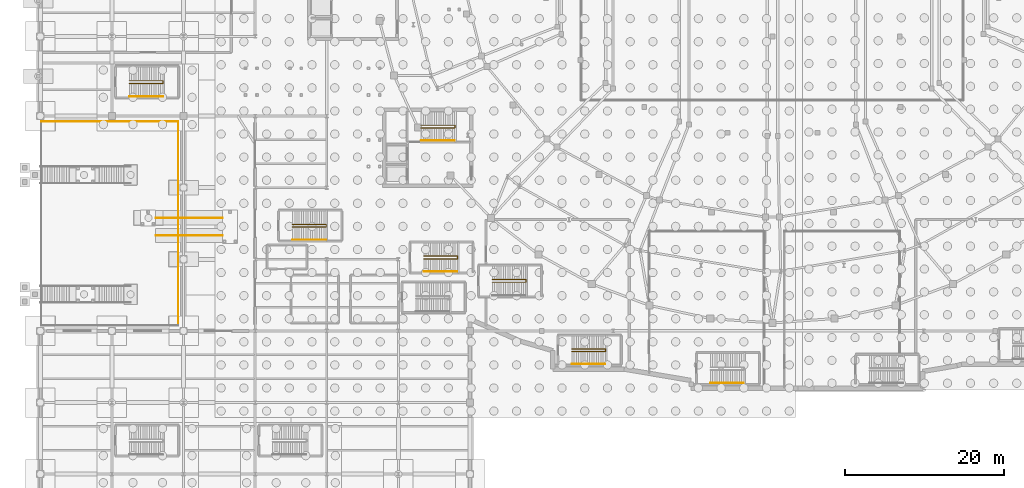
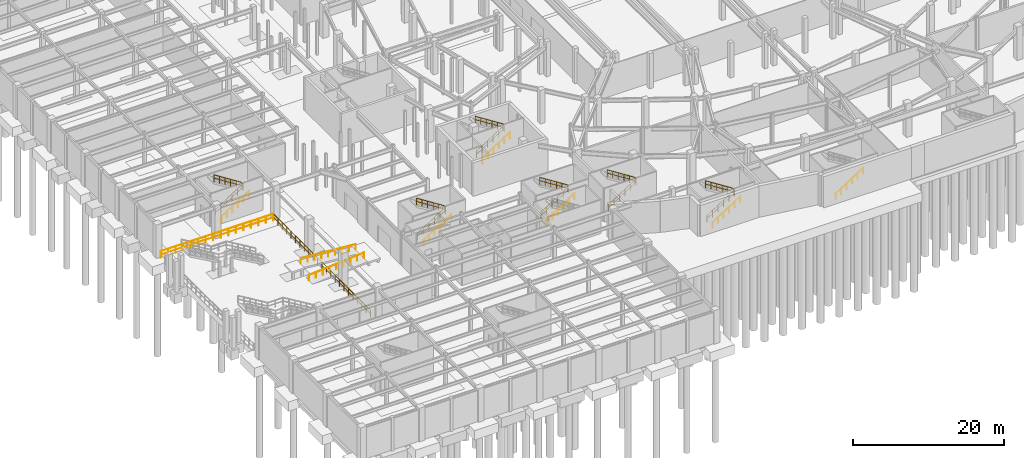
# One storey, part 53 of 56: 16 railings.
"""IFC4 building model written with IfcOpenShell, lengths in metres."""

from ifc_helpers import new_model, si_unit, direction, frame, origin, origin_2d, place, context, subcontext, project, spatial, circle, extrude, material, type_object, element, save


model = new_model("IFC4")

# Units and contexts
model_context = context("Model", 3, precision=1e-05, world=origin(), true_north=direction((0.0, 1.0)))
body_context = subcontext(model_context, "Body", "Model", "MODEL_VIEW")
ifc_project = project(units=[si_unit("LENGTHUNIT", "METRE"), si_unit("AREAUNIT", "SQUARE_METRE"), si_unit("VOLUMEUNIT", "CUBIC_METRE"), si_unit("PLANEANGLEUNIT", "RADIAN"), si_unit("MASSUNIT", "GRAM", prefix="KILO")], contexts=[model_context])

# Site, building, storey
site_placement = place(None, origin())
site = spatial("IfcSite", under=ifc_project, at=site_placement, CompositionType="ELEMENT")
building_placement = place(site_placement, origin())
building = spatial("IfcBuilding", under=site, at=building_placement, Name="Glasvene Arena", CompositionType="ELEMENT")
storey_placement = place(building_placement, frame((0.0, 0.0, -5.39990234375)))
storey = spatial("IfcBuildingStorey", under=building, at=storey_placement, Name="B1", CompositionType="ELEMENT", Elevation=-5.39990234375)

# Railings
ifc_material_1 = material(Name="Brushed stainless steel", Category="steel")
railing_type_1 = type_object("IfcRailingType", Name="RL-GUARD-1100", PredefinedType="GUARDRAIL", material=ifc_material_1)
railing_1_placement = place(storey_placement, frame((47.85009765625, 52.510009765625, 0.0)))
element("IfcRailing", 1, at=railing_1_placement, inside=storey, type_object=railing_type_1, Name="Stair inner well continuous guardrail ST-03-B1", PredefinedType="GUARDRAIL", context=body_context, shape_type="SweptSolid", body=[
    extrude(circle(Radius=0.02392578125, at=origin_2d()), frame((0.0, 0.0, 1.076171875), z_axis=(0.843501457581, 0.0, 0.537126885437), x_axis=(0.0, 1.0, 0.0)), (0.0, 0.0, 1.0), 5.026611328125),
    extrude(circle(Radius=0.01611328125, at=origin_2d()), frame((0.0, 0.0, 0.550048828125), z_axis=(0.843501457581, 0.0, 0.537126885437), x_axis=(0.0, 1.0, 0.0)), (0.0, 0.0, 1.0), 5.026611328125),
    extrude(circle(Radius=0.02392578125, at=origin_2d()), frame((4.239990234375, 0.0, 3.77587890625), z_axis=(0.0, 1.0, 0.0), x_axis=(-1.0, 0.0, 0.0)), (0.0, 0.0, 1.0), 0.330078125),
    extrude(circle(Radius=0.01611328125, at=origin_2d()), frame((4.239990234375, 0.0, 3.25), z_axis=(0.0, 1.0, 0.0), x_axis=(-1.0, 0.0, 0.0)), (0.0, 0.0, 1.0), 0.330078125),
    extrude(circle(Radius=0.02392578125, at=origin_2d()), frame((4.239990234375, 0.330078125, 3.77587890625), z_axis=(-0.843501457581, 0.0, 0.537126885437), x_axis=(0.0, -1.0, 0.0)), (0.0, 0.0, 1.0), 5.026611328125),
    extrude(circle(Radius=0.01611328125, at=origin_2d()), frame((4.239990234375, 0.330078125, 3.25), z_axis=(-0.843501457581, 0.0, 0.537126885437), x_axis=(0.0, -1.0, 0.0)), (0.0, 0.0, 1.0), 5.026611328125),
    extrude(circle(Radius=0.02099609375, at=origin_2d()), origin(), (0.0, 0.0, 1.0), 1.052001953125),
    extrude(circle(Radius=0.02099609375, at=origin_2d()), frame((0.847900390625, 0.0, 0.5400390625)), (0.0, 0.0, 1.0), 1.052001953125),
    extrude(circle(Radius=0.02099609375, at=origin_2d()), frame((1.696044921875, 0.0, 1.080078125)), (0.0, 0.0, 1.0), 1.052001953125),
    extrude(circle(Radius=0.02099609375, at=origin_2d()), frame((2.5439453125, 0.0, 1.619873046875)), (0.0, 0.0, 1.0), 1.052001953125),
    extrude(circle(Radius=0.02099609375, at=origin_2d()), frame((3.39208984375, 0.0, 2.159912109375)), (0.0, 0.0, 1.0), 1.052001953125),
    extrude(circle(Radius=0.02099609375, at=origin_2d()), frame((4.239990234375, 0.0, 2.699951171875)), (0.0, 0.0, 1.0), 1.052001953125),
    extrude(circle(Radius=0.02099609375, at=origin_2d()), frame((4.239990234375, 0.330078125, 2.699951171875)), (0.0, 0.0, 1.0), 1.052001953125),
    extrude(circle(Radius=0.02099609375, at=origin_2d()), frame((3.39208984375, 0.330078125, 3.239990234375)), (0.0, 0.0, 1.0), 1.052001953125),
    extrude(circle(Radius=0.02099609375, at=origin_2d()), frame((2.5439453125, 0.330078125, 3.780029296875)), (0.0, 0.0, 1.0), 1.052001953125),
    extrude(circle(Radius=0.02099609375, at=origin_2d()), frame((1.696044921875, 0.330078125, 4.31982421875)), (0.0, 0.0, 1.0), 1.052001953125),
    extrude(circle(Radius=0.02099609375, at=origin_2d()), frame((0.847900390625, 0.330078125, 4.85986328125)), (0.0, 0.0, 1.0), 1.052001953125),
    extrude(circle(Radius=0.02099609375, at=origin_2d()), frame((0.0, 0.330078125, 5.39990234375)), (0.0, 0.0, 1.0), 1.052001953125),
])
railing_2_placement = place(storey_placement, frame((48.199951171875, 36.06005859375, 0.0)))
element("IfcRailing", 2, at=railing_2_placement, inside=storey, type_object=railing_type_1, Name="Stair inner well continuous guardrail ST-05-B1", PredefinedType="GUARDRAIL", context=body_context, shape_type="SweptSolid", body=[
    extrude(circle(Radius=0.02392578125, at=origin_2d()), frame((0.0, 0.0, 1.076171875), z_axis=(0.843501457581, 0.0, 0.537126885437), x_axis=(0.0, 1.0, 0.0)), (0.0, 0.0, 1.0), 5.026611328125),
    extrude(circle(Radius=0.01611328125, at=origin_2d()), frame((0.0, 0.0, 0.550048828125), z_axis=(0.843501457581, 0.0, 0.537126885437), x_axis=(0.0, 1.0, 0.0)), (0.0, 0.0, 1.0), 5.026611328125),
    extrude(circle(Radius=0.02392578125, at=origin_2d()), frame((4.239990234375, 0.0, 3.77587890625), z_axis=(0.0, 1.0, 0.0), x_axis=(-1.0, 0.0, 0.0)), (0.0, 0.0, 1.0), 0.329833984375),
    extrude(circle(Radius=0.01611328125, at=origin_2d()), frame((4.239990234375, 0.0, 3.25), z_axis=(0.0, 1.0, 0.0), x_axis=(-1.0, 0.0, 0.0)), (0.0, 0.0, 1.0), 0.329833984375),
    extrude(circle(Radius=0.02392578125, at=origin_2d()), frame((4.239990234375, 0.329833984375, 3.77587890625), z_axis=(-0.843501457581, 0.0, 0.537126885437), x_axis=(0.0, -1.0, 0.0)), (0.0, 0.0, 1.0), 5.026611328125),
    extrude(circle(Radius=0.01611328125, at=origin_2d()), frame((4.239990234375, 0.329833984375, 3.25), z_axis=(-0.843501457581, 0.0, 0.537126885437), x_axis=(0.0, -1.0, 0.0)), (0.0, 0.0, 1.0), 5.026611328125),
    extrude(circle(Radius=0.02099609375, at=origin_2d()), origin(), (0.0, 0.0, 1.0), 1.052001953125),
    extrude(circle(Radius=0.02099609375, at=origin_2d()), frame((0.847900390625, 0.0, 0.5400390625)), (0.0, 0.0, 1.0), 1.052001953125),
    extrude(circle(Radius=0.02099609375, at=origin_2d()), frame((1.696044921875, 0.0, 1.080078125)), (0.0, 0.0, 1.0), 1.052001953125),
    extrude(circle(Radius=0.02099609375, at=origin_2d()), frame((2.5439453125, 0.0, 1.619873046875)), (0.0, 0.0, 1.0), 1.052001953125),
    extrude(circle(Radius=0.02099609375, at=origin_2d()), frame((3.39208984375, 0.0, 2.159912109375)), (0.0, 0.0, 1.0), 1.052001953125),
    extrude(circle(Radius=0.02099609375, at=origin_2d()), frame((4.239990234375, 0.0, 2.699951171875)), (0.0, 0.0, 1.0), 1.052001953125),
    extrude(circle(Radius=0.02099609375, at=origin_2d()), frame((4.239990234375, 0.329833984375, 2.699951171875)), (0.0, 0.0, 1.0), 1.052001953125),
    extrude(circle(Radius=0.02099609375, at=origin_2d()), frame((3.39208984375, 0.329833984375, 3.239990234375)), (0.0, 0.0, 1.0), 1.052001953125),
    extrude(circle(Radius=0.02099609375, at=origin_2d()), frame((2.5439453125, 0.329833984375, 3.780029296875)), (0.0, 0.0, 1.0), 1.052001953125),
    extrude(circle(Radius=0.02099609375, at=origin_2d()), frame((1.696044921875, 0.329833984375, 4.31982421875)), (0.0, 0.0, 1.0), 1.052001953125),
    extrude(circle(Radius=0.02099609375, at=origin_2d()), frame((0.847900390625, 0.329833984375, 4.85986328125)), (0.0, 0.0, 1.0), 1.052001953125),
    extrude(circle(Radius=0.02099609375, at=origin_2d()), frame((0.0, 0.329833984375, 5.39990234375)), (0.0, 0.0, 1.0), 1.052001953125),
])
railing_3_placement = place(storey_placement, frame((66.800048828125, 24.409912109375, 0.0)))
element("IfcRailing", 3, at=railing_3_placement, inside=storey, type_object=railing_type_1, Name="Stair inner well continuous guardrail ST-08-B1", PredefinedType="GUARDRAIL", context=body_context, shape_type="SweptSolid", body=[
    extrude(circle(Radius=0.02392578125, at=origin_2d()), frame((0.0, 0.0, 1.076171875), z_axis=(0.843501457581, 0.0, 0.537126885437), x_axis=(0.0, 1.0, 0.0)), (0.0, 0.0, 1.0), 5.026611328125),
    extrude(circle(Radius=0.01611328125, at=origin_2d()), frame((0.0, 0.0, 0.550048828125), z_axis=(0.843501457581, 0.0, 0.537126885437), x_axis=(0.0, 1.0, 0.0)), (0.0, 0.0, 1.0), 5.026611328125),
    extrude(circle(Radius=0.02392578125, at=origin_2d()), frame((4.239990234375, 0.0, 3.77587890625), z_axis=(0.0, 1.0, 0.0), x_axis=(-1.0, 0.0, 0.0)), (0.0, 0.0, 1.0), 0.330078125),
    extrude(circle(Radius=0.01611328125, at=origin_2d()), frame((4.239990234375, 0.0, 3.25), z_axis=(0.0, 1.0, 0.0), x_axis=(-1.0, 0.0, 0.0)), (0.0, 0.0, 1.0), 0.330078125),
    extrude(circle(Radius=0.02392578125, at=origin_2d()), frame((4.239990234375, 0.330078125, 3.77587890625), z_axis=(-0.843501457581, 0.0, 0.537126885437), x_axis=(0.0, -1.0, 0.0)), (0.0, 0.0, 1.0), 5.026611328125),
    extrude(circle(Radius=0.01611328125, at=origin_2d()), frame((4.239990234375, 0.330078125, 3.25), z_axis=(-0.843501457581, 0.0, 0.537126885437), x_axis=(0.0, -1.0, 0.0)), (0.0, 0.0, 1.0), 5.026611328125),
    extrude(circle(Radius=0.02099609375, at=origin_2d()), origin(), (0.0, 0.0, 1.0), 1.052001953125),
    extrude(circle(Radius=0.02099609375, at=origin_2d()), frame((0.847900390625, 0.0, 0.5400390625)), (0.0, 0.0, 1.0), 1.052001953125),
    extrude(circle(Radius=0.02099609375, at=origin_2d()), frame((1.696044921875, 0.0, 1.080078125)), (0.0, 0.0, 1.0), 1.052001953125),
    extrude(circle(Radius=0.02099609375, at=origin_2d()), frame((2.5439453125, 0.0, 1.619873046875)), (0.0, 0.0, 1.0), 1.052001953125),
    extrude(circle(Radius=0.02099609375, at=origin_2d()), frame((3.39208984375, 0.0, 2.159912109375)), (0.0, 0.0, 1.0), 1.052001953125),
    extrude(circle(Radius=0.02099609375, at=origin_2d()), frame((4.239990234375, 0.0, 2.699951171875)), (0.0, 0.0, 1.0), 1.052001953125),
    extrude(circle(Radius=0.02099609375, at=origin_2d()), frame((4.239990234375, 0.330078125, 2.699951171875)), (0.0, 0.0, 1.0), 1.052001953125),
    extrude(circle(Radius=0.02099609375, at=origin_2d()), frame((3.39208984375, 0.330078125, 3.239990234375)), (0.0, 0.0, 1.0), 1.052001953125),
    extrude(circle(Radius=0.02099609375, at=origin_2d()), frame((2.5439453125, 0.330078125, 3.780029296875)), (0.0, 0.0, 1.0), 1.052001953125),
    extrude(circle(Radius=0.02099609375, at=origin_2d()), frame((1.696044921875, 0.330078125, 4.31982421875)), (0.0, 0.0, 1.0), 1.052001953125),
    extrude(circle(Radius=0.02099609375, at=origin_2d()), frame((0.847900390625, 0.330078125, 4.85986328125)), (0.0, 0.0, 1.0), 1.052001953125),
    extrude(circle(Radius=0.02099609375, at=origin_2d()), frame((0.0, 0.330078125, 5.39990234375)), (0.0, 0.0, 1.0), 1.052001953125),
])
railing_4_placement = place(storey_placement, frame((11.199951171875, 58.110107421875, 0.0)))
element("IfcRailing", 4, at=railing_4_placement, inside=storey, type_object=railing_type_1, Name="Stair inner well continuous guardrail ST-13-B1", PredefinedType="GUARDRAIL", context=body_context, shape_type="SweptSolid", body=[
    extrude(circle(Radius=0.02392578125, at=origin_2d()), frame((0.0, 0.0, 1.076171875), z_axis=(0.843501457581, 0.0, 0.537126885437), x_axis=(0.0, 1.0, 0.0)), (0.0, 0.0, 1.0), 5.026611328125),
    extrude(circle(Radius=0.01611328125, at=origin_2d()), frame((0.0, 0.0, 0.550048828125), z_axis=(0.843501457581, 0.0, 0.537126885437), x_axis=(0.0, 1.0, 0.0)), (0.0, 0.0, 1.0), 5.026611328125),
    extrude(circle(Radius=0.02392578125, at=origin_2d()), frame((4.239990234375, 0.0, 3.77587890625), z_axis=(0.0, 1.0, 0.0), x_axis=(-1.0, 0.0, 0.0)), (0.0, 0.0, 1.0), 0.329833984375),
    extrude(circle(Radius=0.01611328125, at=origin_2d()), frame((4.239990234375, 0.0, 3.25), z_axis=(0.0, 1.0, 0.0), x_axis=(-1.0, 0.0, 0.0)), (0.0, 0.0, 1.0), 0.329833984375),
    extrude(circle(Radius=0.02392578125, at=origin_2d()), frame((4.239990234375, 0.329833984375, 3.77587890625), z_axis=(-0.843501457581, 0.0, 0.537126885437), x_axis=(0.0, -1.0, 0.0)), (0.0, 0.0, 1.0), 5.026611328125),
    extrude(circle(Radius=0.01611328125, at=origin_2d()), frame((4.239990234375, 0.329833984375, 3.25), z_axis=(-0.843501457581, 0.0, 0.537126885437), x_axis=(0.0, -1.0, 0.0)), (0.0, 0.0, 1.0), 5.026611328125),
    extrude(circle(Radius=0.02099609375, at=origin_2d()), origin(), (0.0, 0.0, 1.0), 1.052001953125),
    extrude(circle(Radius=0.02099609375, at=origin_2d()), frame((0.847900390625, 0.0, 0.5400390625)), (0.0, 0.0, 1.0), 1.052001953125),
    extrude(circle(Radius=0.02099609375, at=origin_2d()), frame((1.696044921875, 0.0, 1.080078125)), (0.0, 0.0, 1.0), 1.052001953125),
    extrude(circle(Radius=0.02099609375, at=origin_2d()), frame((2.5439453125, 0.0, 1.619873046875)), (0.0, 0.0, 1.0), 1.052001953125),
    extrude(circle(Radius=0.02099609375, at=origin_2d()), frame((3.39208984375, 0.0, 2.159912109375)), (0.0, 0.0, 1.0), 1.052001953125),
    extrude(circle(Radius=0.02099609375, at=origin_2d()), frame((4.239990234375, 0.0, 2.699951171875)), (0.0, 0.0, 1.0), 1.052001953125),
    extrude(circle(Radius=0.02099609375, at=origin_2d()), frame((4.239990234375, 0.329833984375, 2.699951171875)), (0.0, 0.0, 1.0), 1.052001953125),
    extrude(circle(Radius=0.02099609375, at=origin_2d()), frame((3.39208984375, 0.329833984375, 3.239990234375)), (0.0, 0.0, 1.0), 1.052001953125),
    extrude(circle(Radius=0.02099609375, at=origin_2d()), frame((2.5439453125, 0.329833984375, 3.780029296875)), (0.0, 0.0, 1.0), 1.052001953125),
    extrude(circle(Radius=0.02099609375, at=origin_2d()), frame((1.696044921875, 0.329833984375, 4.31982421875)), (0.0, 0.0, 1.0), 1.052001953125),
    extrude(circle(Radius=0.02099609375, at=origin_2d()), frame((0.847900390625, 0.329833984375, 4.85986328125)), (0.0, 0.0, 1.0), 1.052001953125),
    extrude(circle(Radius=0.02099609375, at=origin_2d()), frame((0.0, 0.329833984375, 5.39990234375)), (0.0, 0.0, 1.0), 1.052001953125),
])
railing_5_placement = place(storey_placement, frame((31.699951171875, 40.06005859375, 0.0)))
element("IfcRailing", 5, at=railing_5_placement, inside=storey, type_object=railing_type_1, Name="Stair inner well continuous guardrail ST-15-B1", PredefinedType="GUARDRAIL", context=body_context, shape_type="SweptSolid", body=[
    extrude(circle(Radius=0.02392578125, at=origin_2d()), frame((0.0, 0.0, 1.076171875), z_axis=(0.843501457581, 0.0, 0.537126885437), x_axis=(0.0, 1.0, 0.0)), (0.0, 0.0, 1.0), 5.026611328125),
    extrude(circle(Radius=0.01611328125, at=origin_2d()), frame((0.0, 0.0, 0.550048828125), z_axis=(0.843501457581, 0.0, 0.537126885437), x_axis=(0.0, 1.0, 0.0)), (0.0, 0.0, 1.0), 5.026611328125),
    extrude(circle(Radius=0.02392578125, at=origin_2d()), frame((4.239990234375, 0.0, 3.77587890625), z_axis=(0.0, 1.0, 0.0), x_axis=(-1.0, 0.0, 0.0)), (0.0, 0.0, 1.0), 0.329833984375),
    extrude(circle(Radius=0.01611328125, at=origin_2d()), frame((4.239990234375, 0.0, 3.25), z_axis=(0.0, 1.0, 0.0), x_axis=(-1.0, 0.0, 0.0)), (0.0, 0.0, 1.0), 0.329833984375),
    extrude(circle(Radius=0.02392578125, at=origin_2d()), frame((4.239990234375, 0.329833984375, 3.77587890625), z_axis=(-0.843501457581, 0.0, 0.537126885437), x_axis=(0.0, -1.0, 0.0)), (0.0, 0.0, 1.0), 5.026611328125),
    extrude(circle(Radius=0.01611328125, at=origin_2d()), frame((4.239990234375, 0.329833984375, 3.25), z_axis=(-0.843501457581, 0.0, 0.537126885437), x_axis=(0.0, -1.0, 0.0)), (0.0, 0.0, 1.0), 5.026611328125),
    extrude(circle(Radius=0.02099609375, at=origin_2d()), origin(), (0.0, 0.0, 1.0), 1.052001953125),
    extrude(circle(Radius=0.02099609375, at=origin_2d()), frame((0.847900390625, 0.0, 0.5400390625)), (0.0, 0.0, 1.0), 1.052001953125),
    extrude(circle(Radius=0.02099609375, at=origin_2d()), frame((1.696044921875, 0.0, 1.080078125)), (0.0, 0.0, 1.0), 1.052001953125),
    extrude(circle(Radius=0.02099609375, at=origin_2d()), frame((2.5439453125, 0.0, 1.619873046875)), (0.0, 0.0, 1.0), 1.052001953125),
    extrude(circle(Radius=0.02099609375, at=origin_2d()), frame((3.39208984375, 0.0, 2.159912109375)), (0.0, 0.0, 1.0), 1.052001953125),
    extrude(circle(Radius=0.02099609375, at=origin_2d()), frame((4.239990234375, 0.0, 2.699951171875)), (0.0, 0.0, 1.0), 1.052001953125),
    extrude(circle(Radius=0.02099609375, at=origin_2d()), frame((4.239990234375, 0.329833984375, 2.699951171875)), (0.0, 0.0, 1.0), 1.052001953125),
    extrude(circle(Radius=0.02099609375, at=origin_2d()), frame((3.39208984375, 0.329833984375, 3.239990234375)), (0.0, 0.0, 1.0), 1.052001953125),
    extrude(circle(Radius=0.02099609375, at=origin_2d()), frame((2.5439453125, 0.329833984375, 3.780029296875)), (0.0, 0.0, 1.0), 1.052001953125),
    extrude(circle(Radius=0.02099609375, at=origin_2d()), frame((1.696044921875, 0.329833984375, 4.31982421875)), (0.0, 0.0, 1.0), 1.052001953125),
    extrude(circle(Radius=0.02099609375, at=origin_2d()), frame((0.847900390625, 0.329833984375, 4.85986328125)), (0.0, 0.0, 1.0), 1.052001953125),
    extrude(circle(Radius=0.02099609375, at=origin_2d()), frame((0.0, 0.329833984375, 5.39990234375)), (0.0, 0.0, 1.0), 1.052001953125),
])
railing_6_placement = place(storey_placement, frame((56.800048828125, 33.110107421875, 0.0)))
element("IfcRailing", 6, at=railing_6_placement, inside=storey, type_object=railing_type_1, Name="Stair inner well continuous guardrail ST-B06-B1", PredefinedType="GUARDRAIL", context=body_context, shape_type="SweptSolid", body=[
    extrude(circle(Radius=0.02392578125, at=origin_2d()), frame((0.0, 0.0, 1.076171875), z_axis=(0.843501457581, 0.0, 0.537126885437), x_axis=(0.0, 1.0, 0.0)), (0.0, 0.0, 1.0), 5.026611328125),
    extrude(circle(Radius=0.01611328125, at=origin_2d()), frame((0.0, 0.0, 0.550048828125), z_axis=(0.843501457581, 0.0, 0.537126885437), x_axis=(0.0, 1.0, 0.0)), (0.0, 0.0, 1.0), 5.026611328125),
    extrude(circle(Radius=0.02392578125, at=origin_2d()), frame((4.239990234375, 0.0, 3.77587890625), z_axis=(0.0, 1.0, 0.0), x_axis=(-1.0, 0.0, 0.0)), (0.0, 0.0, 1.0), 0.329833984375),
    extrude(circle(Radius=0.01611328125, at=origin_2d()), frame((4.239990234375, 0.0, 3.25), z_axis=(0.0, 1.0, 0.0), x_axis=(-1.0, 0.0, 0.0)), (0.0, 0.0, 1.0), 0.329833984375),
    extrude(circle(Radius=0.02392578125, at=origin_2d()), frame((4.239990234375, 0.329833984375, 3.77587890625), z_axis=(-0.843501457581, 0.0, 0.537126885437), x_axis=(0.0, -1.0, 0.0)), (0.0, 0.0, 1.0), 5.026611328125),
    extrude(circle(Radius=0.01611328125, at=origin_2d()), frame((4.239990234375, 0.329833984375, 3.25), z_axis=(-0.843501457581, 0.0, 0.537126885437), x_axis=(0.0, -1.0, 0.0)), (0.0, 0.0, 1.0), 5.026611328125),
    extrude(circle(Radius=0.02099609375, at=origin_2d()), origin(), (0.0, 0.0, 1.0), 1.052001953125),
    extrude(circle(Radius=0.02099609375, at=origin_2d()), frame((0.847900390625, 0.0, 0.5400390625)), (0.0, 0.0, 1.0), 1.052001953125),
    extrude(circle(Radius=0.02099609375, at=origin_2d()), frame((1.696044921875, 0.0, 1.080078125)), (0.0, 0.0, 1.0), 1.052001953125),
    extrude(circle(Radius=0.02099609375, at=origin_2d()), frame((2.5439453125, 0.0, 1.619873046875)), (0.0, 0.0, 1.0), 1.052001953125),
    extrude(circle(Radius=0.02099609375, at=origin_2d()), frame((3.39208984375, 0.0, 2.159912109375)), (0.0, 0.0, 1.0), 1.052001953125),
    extrude(circle(Radius=0.02099609375, at=origin_2d()), frame((4.239990234375, 0.0, 2.699951171875)), (0.0, 0.0, 1.0), 1.052001953125),
    extrude(circle(Radius=0.02099609375, at=origin_2d()), frame((4.239990234375, 0.329833984375, 2.699951171875)), (0.0, 0.0, 1.0), 1.052001953125),
    extrude(circle(Radius=0.02099609375, at=origin_2d()), frame((3.39208984375, 0.329833984375, 3.239990234375)), (0.0, 0.0, 1.0), 1.052001953125),
    extrude(circle(Radius=0.02099609375, at=origin_2d()), frame((2.5439453125, 0.329833984375, 3.780029296875)), (0.0, 0.0, 1.0), 1.052001953125),
    extrude(circle(Radius=0.02099609375, at=origin_2d()), frame((1.696044921875, 0.329833984375, 4.31982421875)), (0.0, 0.0, 1.0), 1.052001953125),
    extrude(circle(Radius=0.02099609375, at=origin_2d()), frame((0.847900390625, 0.329833984375, 4.85986328125)), (0.0, 0.0, 1.0), 1.052001953125),
    extrude(circle(Radius=0.02099609375, at=origin_2d()), frame((0.0, 0.329833984375, 5.39990234375)), (0.0, 0.0, 1.0), 1.052001953125),
])
ifc_material_2 = material(Name="Warm bronze architectural aluminium", Category="aluminium")
railing_type_2 = type_object("IfcRailingType", Name="RL-GUARD-EXT-1150", PredefinedType="GUARDRAIL", material=ifc_material_2)
railing_7_placement = place(storey_placement, frame((0.1201171875, 53.330078125, 0.0)))
element("IfcRailing", 7, at=railing_7_placement, inside=storey, type_object=railing_type_2, Name="Safety guardrail GD-TER-B1-TR-B1-METRO-01-001", PredefinedType="GUARDRAIL", context=body_context, shape_type="SweptSolid", body=[
    extrude(circle(Radius=0.02392578125, at=origin_2d()), frame((0.0, 0.0, 1.1259765625), z_axis=(1.0, 0.0, 0.0), x_axis=(0.0, 1.0, 0.0)), (0.0, 0.0, 1.0), 17.2099609375),
    extrude(circle(Radius=0.01611328125, at=origin_2d()), frame((0.0, 0.0, 0.574951171875), z_axis=(1.0, 0.0, 0.0), x_axis=(0.0, 1.0, 0.0)), (0.0, 0.0, 1.0), 17.2099609375),
    extrude(circle(Radius=0.02099609375, at=origin_2d()), origin(), (0.0, 0.0, 1.0), 1.101806640625),
    extrude(circle(Radius=0.02099609375, at=origin_2d()), frame((1.147216796875, 0.0, 0.0)), (0.0, 0.0, 1.0), 1.101806640625),
    extrude(circle(Radius=0.02099609375, at=origin_2d()), frame((2.294677734375, 0.0, 0.0)), (0.0, 0.0, 1.0), 1.101806640625),
    extrude(circle(Radius=0.02099609375, at=origin_2d()), frame((3.44189453125, 0.0, 0.0)), (0.0, 0.0, 1.0), 1.101806640625),
    extrude(circle(Radius=0.02099609375, at=origin_2d()), frame((4.58935546875, 0.0, 0.0)), (0.0, 0.0, 1.0), 1.101806640625),
    extrude(circle(Radius=0.02099609375, at=origin_2d()), frame((5.736572265625, 0.0, 0.0)), (0.0, 0.0, 1.0), 1.101806640625),
    extrude(circle(Radius=0.02099609375, at=origin_2d()), frame((6.884033203125, 0.0, 0.0)), (0.0, 0.0, 1.0), 1.101806640625),
    extrude(circle(Radius=0.02099609375, at=origin_2d()), frame((8.03125, 0.0, 0.0)), (0.0, 0.0, 1.0), 1.101806640625),
    extrude(circle(Radius=0.02099609375, at=origin_2d()), frame((9.1787109375, 0.0, 0.0)), (0.0, 0.0, 1.0), 1.101806640625),
    extrude(circle(Radius=0.02099609375, at=origin_2d()), frame((10.325927734375, 0.0, 0.0)), (0.0, 0.0, 1.0), 1.101806640625),
    extrude(circle(Radius=0.02099609375, at=origin_2d()), frame((11.473388671875, 0.0, 0.0)), (0.0, 0.0, 1.0), 1.101806640625),
    extrude(circle(Radius=0.02099609375, at=origin_2d()), frame((12.62060546875, 0.0, 0.0)), (0.0, 0.0, 1.0), 1.101806640625),
    extrude(circle(Radius=0.02099609375, at=origin_2d()), frame((13.76806640625, 0.0, 0.0)), (0.0, 0.0, 1.0), 1.101806640625),
    extrude(circle(Radius=0.02099609375, at=origin_2d()), frame((14.915283203125, 0.0, 0.0)), (0.0, 0.0, 1.0), 1.101806640625),
    extrude(circle(Radius=0.02099609375, at=origin_2d()), frame((16.062744140625, 0.0, 0.0)), (0.0, 0.0, 1.0), 1.101806640625),
    extrude(circle(Radius=0.02099609375, at=origin_2d()), frame((17.2099609375, 0.0, 0.0)), (0.0, 0.0, 1.0), 1.101806640625),
])
railing_8_placement = place(storey_placement, frame((17.330078125, 53.330078125, 0.0)))
element("IfcRailing", 8, at=railing_8_placement, inside=storey, type_object=railing_type_2, Name="Safety guardrail GD-TER-B1-TR-B1-METRO-01-002", PredefinedType="GUARDRAIL", context=body_context, shape_type="SweptSolid", body=[
    extrude(circle(Radius=0.02392578125, at=origin_2d()), frame((0.0, 0.0, 1.1259765625), z_axis=(0.0, -1.0, 0.0), x_axis=(1.0, 0.0, 0.0)), (0.0, 0.0, 1.0), 25.66015625),
    extrude(circle(Radius=0.01611328125, at=origin_2d()), frame((0.0, 0.0, 0.574951171875), z_axis=(0.0, -1.0, 0.0), x_axis=(1.0, 0.0, 0.0)), (0.0, 0.0, 1.0), 25.66015625),
    extrude(circle(Radius=0.02099609375, at=origin_2d()), origin(), (0.0, 0.0, 1.0), 1.101806640625),
    extrude(circle(Radius=0.02099609375, at=origin_2d()), frame((0.0, -1.166259765625, 0.0)), (0.0, 0.0, 1.0), 1.101806640625),
    extrude(circle(Radius=0.02099609375, at=origin_2d()), frame((0.0, -2.332763671875, 0.0)), (0.0, 0.0, 1.0), 1.101806640625),
    extrude(circle(Radius=0.02099609375, at=origin_2d()), frame((0.0, -3.4990234375, 0.0)), (0.0, 0.0, 1.0), 1.101806640625),
    extrude(circle(Radius=0.02099609375, at=origin_2d()), frame((0.0, -4.66552734375, 0.0)), (0.0, 0.0, 1.0), 1.101806640625),
    extrude(circle(Radius=0.02099609375, at=origin_2d()), frame((0.0, -5.831787109375, 0.0)), (0.0, 0.0, 1.0), 1.101806640625),
    extrude(circle(Radius=0.02099609375, at=origin_2d()), frame((0.0, -6.998291015625, 0.0)), (0.0, 0.0, 1.0), 1.101806640625),
    extrude(circle(Radius=0.02099609375, at=origin_2d()), frame((0.0, -8.16455078125, 0.0)), (0.0, 0.0, 1.0), 1.101806640625),
    extrude(circle(Radius=0.02099609375, at=origin_2d()), frame((0.0, -9.3310546875, 0.0)), (0.0, 0.0, 1.0), 1.101806640625),
    extrude(circle(Radius=0.02099609375, at=origin_2d()), frame((0.0, -10.497314453125, 0.0)), (0.0, 0.0, 1.0), 1.101806640625),
    extrude(circle(Radius=0.02099609375, at=origin_2d()), frame((0.0, -11.663818359375, 0.0)), (0.0, 0.0, 1.0), 1.101806640625),
    extrude(circle(Radius=0.02099609375, at=origin_2d()), frame((0.0, -12.830078125, 0.0)), (0.0, 0.0, 1.0), 1.101806640625),
    extrude(circle(Radius=0.02099609375, at=origin_2d()), frame((0.0, -13.996337890625, 0.0)), (0.0, 0.0, 1.0), 1.101806640625),
    extrude(circle(Radius=0.02099609375, at=origin_2d()), frame((0.0, -15.162841796875, 0.0)), (0.0, 0.0, 1.0), 1.101806640625),
    extrude(circle(Radius=0.02099609375, at=origin_2d()), frame((0.0, -16.3291015625, 0.0)), (0.0, 0.0, 1.0), 1.101806640625),
    extrude(circle(Radius=0.02099609375, at=origin_2d()), frame((0.0, -17.49560546875, 0.0)), (0.0, 0.0, 1.0), 1.101806640625),
    extrude(circle(Radius=0.02099609375, at=origin_2d()), frame((0.0, -18.661865234375, 0.0)), (0.0, 0.0, 1.0), 1.101806640625),
    extrude(circle(Radius=0.02099609375, at=origin_2d()), frame((0.0, -19.828369140625, 0.0)), (0.0, 0.0, 1.0), 1.101806640625),
    extrude(circle(Radius=0.02099609375, at=origin_2d()), frame((0.0, -20.99462890625, 0.0)), (0.0, 0.0, 1.0), 1.101806640625),
    extrude(circle(Radius=0.02099609375, at=origin_2d()), frame((0.0, -22.1611328125, 0.0)), (0.0, 0.0, 1.0), 1.101806640625),
    extrude(circle(Radius=0.02099609375, at=origin_2d()), frame((0.0, -23.327392578125, 0.0)), (0.0, 0.0, 1.0), 1.101806640625),
    extrude(circle(Radius=0.02099609375, at=origin_2d()), frame((0.0, -24.493896484375, 0.0)), (0.0, 0.0, 1.0), 1.101806640625),
    extrude(circle(Radius=0.02099609375, at=origin_2d()), frame((0.0, -25.66015625, 0.0)), (0.0, 0.0, 1.0), 1.101806640625),
])
railing_type_3 = type_object("IfcRailingType", Name="RL-HAND-950", PredefinedType="HANDRAIL", material=ifc_material_1)
for number, where, name in (
    (9, (47.85009765625, 50.909912109375, 0.0), "Stair wall handrail ST-03-B1"),
    (10, (48.199951171875, 34.4599609375, 0.0), "Stair wall handrail ST-05-B1"),
    (11, (66.800048828125, 22.860107421875, 0.0), "Stair wall handrail ST-08-B1"),
    (12, (11.199951171875, 56.4599609375, 0.0), "Stair wall handrail ST-13-B1"),
    (13, (31.699951171875, 38.4599609375, 0.0), "Stair wall handrail ST-15-B1"),
    (14, (84.199951171875, 20.4599609375, 0.0), "Stair wall handrail ST-B08-B1"),
):
    element("IfcRailing", number, at=place(storey_placement, frame(where)), inside=storey, type_object=railing_type_3, Name=name, PredefinedType="HANDRAIL", context=body_context, shape_type="SweptSolid", body=[
        extrude(circle(Radius=0.02392578125, at=origin_2d()), frame((0.0, 0.0, 0.92578125), z_axis=(0.841180064094, 0.0, 0.540755119968), x_axis=(0.0, 1.0, 0.0)), (0.0, 0.0, 1.0), 4.992919921875),
        extrude(circle(Radius=0.02099609375, at=origin_2d()), origin(), (0.0, 0.0, 1.0), 0.90185546875),
        extrude(circle(Radius=0.02099609375, at=origin_2d()), frame((0.840087890625, 0.0, 0.5400390625)), (0.0, 0.0, 1.0), 0.90185546875),
        extrude(circle(Radius=0.02099609375, at=origin_2d()), frame((1.679931640625, 0.0, 1.080078125)), (0.0, 0.0, 1.0), 0.90185546875),
        extrude(circle(Radius=0.02099609375, at=origin_2d()), frame((2.52001953125, 0.0, 1.619873046875)), (0.0, 0.0, 1.0), 0.90185546875),
        extrude(circle(Radius=0.02099609375, at=origin_2d()), frame((3.35986328125, 0.0, 2.159912109375)), (0.0, 0.0, 1.0), 0.90185546875),
        extrude(circle(Radius=0.02099609375, at=origin_2d()), frame((4.199951171875, 0.0, 2.699951171875)), (0.0, 0.0, 1.0), 0.90185546875),
    ])
railing_9_placement = place(storey_placement, frame((14.5, 39.0, 0.0)))
element("IfcRailing", 15, at=railing_9_placement, inside=storey, type_object=railing_type_3, Name="Accessible ramp handrail RP-P3", PredefinedType="HANDRAIL", context=body_context, shape_type="SweptSolid", body=[
    extrude(circle(Radius=0.02392578125, at=origin_2d()), frame((0.0, 0.0, 0.92578125), z_axis=(0.996546157741, 0.0, 0.08304068576), x_axis=(0.0, 1.0, 0.0)), (0.0, 0.0, 1.0), 8.428955078125),
    extrude(circle(Radius=0.02099609375, at=origin_2d()), origin(), (0.0, 0.0, 1.0), 0.90185546875),
    extrude(circle(Radius=0.02099609375, at=origin_2d()), frame((1.050048828125, 0.0, 0.08740234375)), (0.0, 0.0, 1.0), 0.90185546875),
    extrude(circle(Radius=0.02099609375, at=origin_2d()), frame((2.10009765625, 0.0, 0.175048828125)), (0.0, 0.0, 1.0), 0.90185546875),
    extrude(circle(Radius=0.02099609375, at=origin_2d()), frame((3.14990234375, 0.0, 0.262451171875)), (0.0, 0.0, 1.0), 0.90185546875),
    extrude(circle(Radius=0.02099609375, at=origin_2d()), frame((4.199951171875, 0.0, 0.35009765625)), (0.0, 0.0, 1.0), 0.90185546875),
    extrude(circle(Radius=0.02099609375, at=origin_2d()), frame((5.25, 0.0, 0.4375)), (0.0, 0.0, 1.0), 0.90185546875),
    extrude(circle(Radius=0.02099609375, at=origin_2d()), frame((6.2998046875, 0.0, 0.52490234375)), (0.0, 0.0, 1.0), 0.90185546875),
    extrude(circle(Radius=0.02099609375, at=origin_2d()), frame((7.349853515625, 0.0, 0.612548828125)), (0.0, 0.0, 1.0), 0.90185546875),
    extrude(circle(Radius=0.02099609375, at=origin_2d()), frame((8.39990234375, 0.0, 0.699951171875)), (0.0, 0.0, 1.0), 0.90185546875),
])
railing_10_placement = place(storey_placement, frame((22.89990234375, 41.199951171875, 0.699951171875)))
element("IfcRailing", 16, at=railing_10_placement, inside=storey, type_object=railing_type_3, Name="Accessible ramp handrail RP-P4", PredefinedType="HANDRAIL", context=body_context, shape_type="SweptSolid", body=[
    extrude(circle(Radius=0.02392578125, at=origin_2d()), frame((0.0, 0.0, 0.92578125), z_axis=(-0.996546157741, 0.0, 0.08304068576), x_axis=(0.0, -1.0, 0.0)), (0.0, 0.0, 1.0), 8.428955078125),
    extrude(circle(Radius=0.02099609375, at=origin_2d()), origin(), (0.0, 0.0, 1.0), 0.90185546875),
    extrude(circle(Radius=0.02099609375, at=origin_2d()), frame((-1.050048828125, 0.0, 0.08740234375)), (0.0, 0.0, 1.0), 0.90185546875),
    extrude(circle(Radius=0.02099609375, at=origin_2d()), frame((-2.10009765625, 0.0, 0.175048828125)), (0.0, 0.0, 1.0), 0.90185546875),
    extrude(circle(Radius=0.02099609375, at=origin_2d()), frame((-3.14990234375, 0.0, 0.262451171875)), (0.0, 0.0, 1.0), 0.90185546875),
    extrude(circle(Radius=0.02099609375, at=origin_2d()), frame((-4.199951171875, 0.0, 0.35009765625)), (0.0, 0.0, 1.0), 0.90185546875),
    extrude(circle(Radius=0.02099609375, at=origin_2d()), frame((-5.25, 0.0, 0.4375)), (0.0, 0.0, 1.0), 0.90185546875),
    extrude(circle(Radius=0.02099609375, at=origin_2d()), frame((-6.2998046875, 0.0, 0.52490234375)), (0.0, 0.0, 1.0), 0.90185546875),
    extrude(circle(Radius=0.02099609375, at=origin_2d()), frame((-7.349853515625, 0.0, 0.612548828125)), (0.0, 0.0, 1.0), 0.90185546875),
    extrude(circle(Radius=0.02099609375, at=origin_2d()), frame((-8.39990234375, 0.0, 0.699951171875)), (0.0, 0.0, 1.0), 0.90185546875),
])

save(model, "model.ifc")
